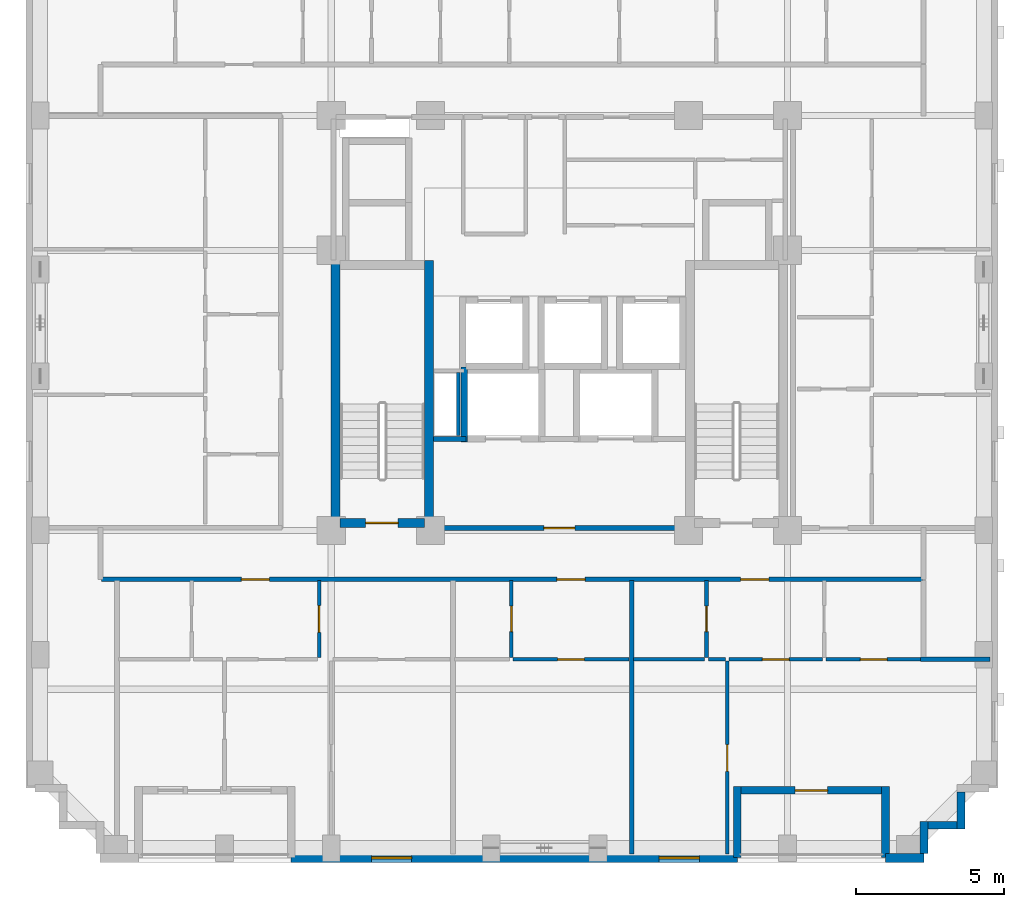
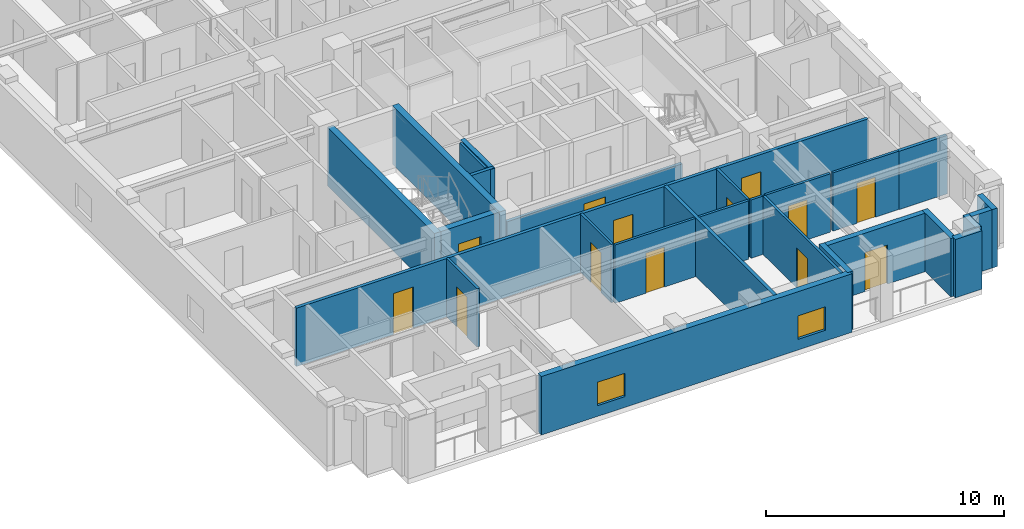
# One storey, part 3 of 11: 27 walls, 13 doors, 2 windows, 15 openings.
"""IFC4 building model written with IfcOpenShell, lengths in metres."""

from ifc_helpers import new_model, si_unit, derived_unit, direction, frame, frame_2d, origin, place, context, subcontext, project, spatial, rectangle, extrude, material, layer, layer_set, type_object, element, fill, save


model = new_model("IFC4")

# Units and contexts
model_context = context("Model", 3, precision=1e-05, world=origin(), true_north=direction((0.0, 1.0)))
body_context = subcontext(model_context, "Body", "Model", "MODEL_VIEW")
ifc_project = project(units=[si_unit("LENGTHUNIT", "METRE"), si_unit("AREAUNIT", "SQUARE_METRE"), si_unit("VOLUMEUNIT", "CUBIC_METRE"), si_unit("PLANEANGLEUNIT", "RADIAN"), si_unit("MASSUNIT", "GRAM", prefix="KILO"), derived_unit("THERMALTRANSMITTANCEUNIT", [(si_unit("MASSUNIT", "GRAM", prefix="KILO"), 1), (si_unit("TIMEUNIT", "SECOND"), -3), (si_unit("THERMODYNAMICTEMPERATUREUNIT", "KELVIN"), -1)])], contexts=[model_context])

# Site, building, storey
site_placement = place(None, origin())
site = spatial("IfcSite", under=ifc_project, at=site_placement, CompositionType="ELEMENT")
building_placement = place(site_placement, origin())
building = spatial("IfcBuilding", under=site, at=building_placement, Name="Korrvale Station Residences", CompositionType="ELEMENT")
storey_placement = place(building_placement, frame((0.0, 0.0, 160.14990234375)))
storey = spatial("IfcBuildingStorey", under=building, at=storey_placement, Name="L46", CompositionType="ELEMENT", Elevation=160.14990234375)

# Walls
ifc_material_1 = material(Name="Concrete C60/75", Category="concrete")
ifc_layer_1 = layer(ifc_material_1, 0.300048828125, Name="Concrete C60/75")
ifc_layer_set_1 = layer_set([ifc_layer_1], Name="Concrete C60/75")
wall_type_1 = type_object("IfcWallType", Name="WAL-CORE-300-C60", PredefinedType="SHEAR", material=ifc_layer_set_1)
for number, where, z_axis, x_axis, name in (
    (1, (17.949951171875, 15.10009765625, 0.0), (0.0, 0.0, 1.0), (0.0, 1.0, 0.0), "L46 ST-1 Core Shear Wall West"),
    (2, (21.10009765625, 15.10009765625, 0.0), (0.0, 0.0, 1.0), (0.0, 1.0, 0.0), "L46 ST-1 Core Shear Wall East"),
):
    element("IfcWall", number, at=place(storey_placement, frame(where, z_axis=z_axis, x_axis=x_axis)), inside=storey, type_object=wall_type_1, Name=name, PredefinedType="SHEAR", context=body_context, shape_type="SweptSolid", body=[
        extrude(rectangle(XDim=9.0, YDim=0.300048828125, at=frame_2d((4.5, 0.0))), origin(), (0.0, 0.0, 1.0), 2.989990234375),
    ])

# Wall, opening, door
wall_1_placement = place(storey_placement, frame((18.10009765625, 15.25, 0.0), z_axis=(0.0, 0.0, 1.0), x_axis=(1.0, 0.0, 0.0)))
wall_1 = element("IfcWall", 3, at=wall_1_placement, inside=storey, type_object=wall_type_1, Name="L46 ST-1 Core Shear Wall South", PredefinedType="SHEAR", context=body_context, shape_type="SweptSolid", body=[
    extrude(rectangle(XDim=2.849853515625, YDim=0.300048828125, at=frame_2d((1.4248046875, 0.0))), origin(), (0.0, 0.0, 1.0), 2.989990234375),
])
opening_1_placement = place(wall_1_placement, frame((0.860107421875, 0.0, 0.0)))
opening_1 = element("IfcOpeningElement", 4, at=opening_1_placement, cuts=wall_1, Name="Opening SD-1100", PredefinedType="OPENING", context=body_context, shape_type="SweptSolid", body=[
    extrude(rectangle(XDim=1.10009765625, YDim=2.050048828125, at=frame_2d((0.550048828125, 1.02490234375))), frame((0.0, 0.16015625, 0.0), z_axis=(0.0, -1.0, 0.0), x_axis=(1.0, 0.0, 0.0)), (0.0, 0.0, 1.0), 0.320068359375),
])
ifc_material_2 = material(Name="Hollow-metal fire-rated stair door with closer", Category="steel")
door_type_1 = type_object("IfcDoorType", Name="DR-STAIR-1100", OperationType="NOTDEFINED", PredefinedType="DOOR", material=ifc_material_2)
door_1_placement = place(opening_1_placement, origin())
door_1 = element("IfcDoor", 5, at=door_1_placement, inside=storey, type_object=door_type_1, Name="L46 ST-1 Exit Stair Door", OperationType="SINGLE_SWING_LEFT", OverallHeight=2.050048828125, OverallWidth=1.10009765625, PredefinedType="DOOR", context=body_context, shape_type="SweptSolid", body=[
    extrude(rectangle(XDim=1.10009765625, YDim=2.050048828125, at=frame_2d((0.550048828125, 1.02490234375))), frame((0.0, 0.02490234375, 0.0), z_axis=(0.0, -1.0, 0.0), x_axis=(1.0, 0.0, 0.0)), (0.0, 0.0, 1.0), 0.050048828125),
])
fill(opening_1, door_1)

# Wall
ifc_material_3 = material(Name="Precast concrete C45/55", Category="concrete")
ifc_layer_2 = layer(ifc_material_3, 0.260009765625, Name="Precast concrete C45/55")
ifc_layer_set_2 = layer_set([ifc_layer_2], Name="Precast concrete C45/55")
wall_type_2 = type_object("IfcWallType", Name="WAL-EXT-LOG260", PredefinedType="SOLIDWALL", material=ifc_layer_set_2)
wall_2_placement = place(storey_placement, frame((36.5, 3.9599609375, 0.0), z_axis=(0.0, 0.0, 1.0), x_axis=(0.0, 1.0, 0.0)))
element("IfcWall", 6, at=wall_2_placement, inside=storey, type_object=wall_type_2, Name="L46 Recessed Loggia Wall BAL-L46-S2-L", PredefinedType="SOLIDWALL", context=body_context, shape_type="SweptSolid", body=[
    extrude(rectangle(XDim=2.400146484375, YDim=0.260009765625, at=frame_2d((1.2001953125, 0.0))), origin(), (0.0, 0.0, 1.0), 2.989990234375),
])

# Wall, opening, door
wall_3_placement = place(storey_placement, frame((36.365966796875, 6.22998046875, 0.0), z_axis=(0.0, 0.0, 1.0), x_axis=(-1.0, 0.0, 0.0)))
wall_3 = element("IfcWall", 7, at=wall_3_placement, inside=storey, type_object=wall_type_2, Name="L46 Recessed Loggia Wall BAL-L46-S2-B", PredefinedType="SOLIDWALL", context=body_context, shape_type="SweptSolid", body=[
    extrude(rectangle(XDim=4.73193359375, YDim=0.260009765625, at=frame_2d((2.365966796875, 0.0))), origin(), (0.0, 0.0, 1.0), 2.989990234375),
])
opening_2_placement = place(wall_3_placement, frame((1.81591796875, 0.0, 0.0)))
opening_2 = element("IfcOpeningElement", 8, at=opening_2_placement, cuts=wall_3, Name="Opening BD-01", PredefinedType="OPENING", context=body_context, shape_type="SweptSolid", body=[
    extrude(rectangle(XDim=1.10009765625, YDim=2.0, at=frame_2d((0.550048828125, 1.0))), frame((0.0, 0.14013671875, 0.0), z_axis=(0.0, -1.0, 0.0), x_axis=(1.0, 0.0, 0.0)), (0.0, 0.0, 1.0), 0.280029296875),
])
ifc_material_4 = material(Name="Exterior thermally broken aluminium glazed balcony door", Category="aluminium")
door_type_2 = type_object("IfcDoorType", Name="DR-EXT-BAL", OperationType="NOTDEFINED", PredefinedType="DOOR", material=ifc_material_4)
door_2_placement = place(opening_2_placement, origin())
door_2 = element("IfcDoor", 9, at=door_2_placement, inside=storey, type_object=door_type_2, Name="L46 Loggia Balcony Door BAL-L46-S2", OperationType="SINGLE_SWING_RIGHT", OverallHeight=2.0, OverallWidth=1.10009765625, PredefinedType="DOOR", context=body_context, shape_type="SweptSolid", body=[
    extrude(rectangle(XDim=1.10009765625, YDim=2.0, at=frame_2d((0.550048828125, 1.0))), frame((0.0, 0.02490234375, 0.0), z_axis=(0.0, -1.0, 0.0), x_axis=(1.0, 0.0, 0.0)), (0.0, 0.0, 1.0), 0.050048828125),
])
fill(opening_2, door_2)

# Walls
wall_4_placement = place(storey_placement, frame((31.5, 6.360107421875, 0.0), z_axis=(0.0, 0.0, 1.0), x_axis=(0.0, -1.0, 0.0)))
element("IfcWall", 10, at=wall_4_placement, inside=storey, type_object=wall_type_2, Name="L46 Recessed Loggia Wall BAL-L46-S2-R", PredefinedType="SOLIDWALL", context=body_context, shape_type="SweptSolid", body=[
    extrude(rectangle(XDim=2.400146484375, YDim=0.260009765625, at=frame_2d((1.2001953125, 0.0))), origin(), (0.0, 0.0, 1.0), 2.989990234375),
])
wall_5_placement = place(storey_placement, frame((39.050048828125, 6.16796875, 0.0), z_axis=(0.0, 0.0, 1.0), x_axis=(0.0, -1.0, 0.0)))
element("IfcWall", 11, at=wall_5_placement, inside=storey, type_object=wall_type_2, Name="L46 Serrated Corner Precast Step SE-2", PredefinedType="SOLIDWALL", context=body_context, shape_type="SweptSolid", body=[
    extrude(rectangle(XDim=1.248046875, YDim=0.260009765625, at=frame_2d((0.6240234375, 0.0))), origin(), (0.0, 0.0, 1.0), 2.989990234375),
])
wall_6_placement = place(storey_placement, frame((38.91796875, 5.050048828125, 0.0), z_axis=(0.0, 0.0, 1.0), x_axis=(-1.0, 0.0, 0.0)))
element("IfcWall", 12, at=wall_6_placement, inside=storey, type_object=wall_type_2, Name="L46 Serrated Corner Precast Step SE-3", PredefinedType="SOLIDWALL", context=body_context, shape_type="SweptSolid", body=[
    extrude(rectangle(XDim=0.986083984375, YDim=0.260009765625, at=frame_2d((0.4931640625, 0.0))), origin(), (0.0, 0.0, 1.0), 2.989990234375),
])
wall_7_placement = place(storey_placement, frame((37.800048828125, 5.179931640625, 0.0), z_axis=(0.0, 0.0, 1.0), x_axis=(0.0, -1.0, 0.0)))
element("IfcWall", 13, at=wall_7_placement, inside=storey, type_object=wall_type_2, Name="L46 Serrated Corner Precast Step SE-4", PredefinedType="SOLIDWALL", context=body_context, shape_type="SweptSolid", body=[
    extrude(rectangle(XDim=1.077880859375, YDim=0.260009765625, at=frame_2d((0.5390625, 0.0))), origin(), (0.0, 0.0, 1.0), 2.989990234375),
])
ifc_layer_3 = layer(ifc_material_3, 0.300048828125, Name="Precast concrete C45/55")
ifc_layer_set_3 = layer_set([ifc_layer_3], Name="Precast concrete C45/55")
wall_type_3 = type_object("IfcWallType", Name="WAL-EXT-PC300", PredefinedType="SOLIDWALL", material=ifc_layer_set_3)
wall_8_placement = place(storey_placement, frame((37.800048828125, 3.949951171875, 0.0), z_axis=(0.0, 0.0, 1.0), x_axis=(-1.0, 0.0, 0.0)))
element("IfcWall", 14, at=wall_8_placement, inside=storey, type_object=wall_type_3, Name="L46 South Exterior Precast Wall 1", PredefinedType="SOLIDWALL", context=body_context, shape_type="SweptSolid", body=[
    extrude(rectangle(XDim=1.300048828125, YDim=0.300048828125, at=frame_2d((0.64990234375, 0.0))), origin(), (0.0, 0.0, 1.0), 2.989990234375),
])

# Wall, openings, windows
wall_9_placement = place(storey_placement, frame((31.5, 3.949951171875, 0.0), z_axis=(0.0, 0.0, 1.0), x_axis=(-1.0, 0.0, 0.0)))
wall_9 = element("IfcWall", 15, at=wall_9_placement, inside=storey, type_object=wall_type_3, Name="L46 South Exterior Precast Wall 2", PredefinedType="SOLIDWALL", context=body_context, shape_type="SweptSolid", body=[
    extrude(rectangle(XDim=15.050048828125, YDim=0.300048828125, at=frame_2d((7.52490234375, 0.0))), origin(), (0.0, 0.0, 1.0), 2.989990234375),
])
opening_3_placement = place(wall_9_placement, frame((10.989013671875, 0.0, 0.550048828125)))
opening_3 = element("IfcOpeningElement", 16, at=opening_3_placement, cuts=wall_9, Name="Opening W-10", PredefinedType="OPENING", context=body_context, shape_type="SweptSolid", body=[
    extrude(rectangle(XDim=1.35009765625, YDim=1.199951171875, at=frame_2d((0.675048828125, 0.60009765625))), frame((0.0, 0.16015625, 0.0), z_axis=(0.0, -1.0, 0.0), x_axis=(1.0, 0.0, 0.0)), (0.0, 0.0, 1.0), 0.320068359375),
])
opening_4_placement = place(wall_9_placement, frame((1.281982421875, 0.0, 0.550048828125)))
opening_4 = element("IfcOpeningElement", 17, at=opening_4_placement, cuts=wall_9, Name="Opening W-10", PredefinedType="OPENING", context=body_context, shape_type="SweptSolid", body=[
    extrude(rectangle(XDim=1.35009765625, YDim=1.199951171875, at=frame_2d((0.675048828125, 0.60009765625))), frame((0.0, 0.16015625, 0.0), z_axis=(0.0, -1.0, 0.0), x_axis=(1.0, 0.0, 0.0)), (0.0, 0.0, 1.0), 0.320068359375),
])
ifc_material_5 = material(Name="Thermally broken aluminium frame with triple low-e glazing", Category="aluminium")
window_type = type_object("IfcWindowType", Name="WIN-W10", PartitioningType="SINGLE_PANEL", PredefinedType="WINDOW", material=ifc_material_5)
window_1_placement = place(opening_3_placement, origin())
window_1 = element("IfcWindow", 18, at=window_1_placement, inside=storey, type_object=window_type, Name="L46 Punched Window 03", OverallHeight=1.199951171875, OverallWidth=1.35009765625, PartitioningType="SINGLE_PANEL", PredefinedType="WINDOW", context=body_context, shape_type="SweptSolid", body=[
    extrude(rectangle(XDim=1.35009765625, YDim=1.199951171875, at=frame_2d((0.675048828125, 0.60009765625))), frame((0.0, 0.030029296875, 0.0), z_axis=(0.0, -1.0, 0.0), x_axis=(1.0, 0.0, 0.0)), (0.0, 0.0, 1.0), 0.06005859375),
])
fill(opening_3, window_1)
window_2_placement = place(opening_4_placement, origin())
window_2 = element("IfcWindow", 19, at=window_2_placement, inside=storey, type_object=window_type, Name="L46 Punched Window 04", OverallHeight=1.199951171875, OverallWidth=1.35009765625, PartitioningType="SINGLE_PANEL", PredefinedType="WINDOW", context=body_context, shape_type="SweptSolid", body=[
    extrude(rectangle(XDim=1.35009765625, YDim=1.199951171875, at=frame_2d((0.675048828125, 0.60009765625))), frame((0.0, 0.030029296875, 0.0), z_axis=(0.0, -1.0, 0.0), x_axis=(1.0, 0.0, 0.0)), (0.0, 0.0, 1.0), 0.06005859375),
])
fill(opening_4, window_2)

# Wall
ifc_material_6 = material(Name="Acoustic steel-stud gypsum board partition", Category="steel")
ifc_layer_4 = layer(ifc_material_6, 0.1201171875, Name="Acoustic steel-stud gypsum board partition")
ifc_layer_set_4 = layer_set([ifc_layer_4], Name="Acoustic steel-stud gypsum board partition")
wall_type_4 = type_object("IfcWallType", Name="WAL-PART-125", PredefinedType="PARTITIONING", material=ifc_layer_set_4)
wall_10_placement = place(storey_placement, frame((22.080078125, 18.199951171875, 0.0), z_axis=(0.0, 0.0, 1.0), x_axis=(0.0, 1.0, 0.0)))
element("IfcWall", 20, at=wall_10_placement, inside=storey, type_object=wall_type_4, Name="L46 Core Partition CW-RSWT", PredefinedType="PARTITIONING", context=body_context, shape_type="SweptSolid", body=[
    extrude(rectangle(XDim=2.1201171875, YDim=0.1201171875, at=frame_2d((1.06005859375, 0.0))), origin(), (0.0, 0.0, 1.0), 2.989990234375),
])

# Wall, opening, door
wall_11_placement = place(storey_placement, frame((17.389892578125, 10.7099609375, 0.0), z_axis=(0.0, 0.0, 1.0), x_axis=(0.0, 1.0, 0.0)))
wall_11 = element("IfcWall", 21, at=wall_11_placement, inside=storey, type_object=wall_type_4, Name="L46 Suite Partition U01-V12", PredefinedType="PARTITIONING", context=body_context, shape_type="SweptSolid", body=[
    extrude(rectangle(XDim=2.60009765625, YDim=0.1201171875, at=frame_2d((1.300048828125, 0.0))), origin(), (0.0, 0.0, 1.0), 2.989990234375),
])
opening_5_placement = place(wall_11_placement, frame((0.85009765625, 0.0, 0.0)))
opening_5 = element("IfcOpeningElement", 22, at=opening_5_placement, cuts=wall_11, Name="Opening DI-900", PredefinedType="OPENING", context=body_context, shape_type="SweptSolid", body=[
    extrude(rectangle(XDim=0.89990234375, YDim=2.050048828125, at=frame_2d((0.449951171875, 1.02490234375))), frame((0.0, 0.070068359375, 0.0), z_axis=(0.0, -1.0, 0.0), x_axis=(1.0, 0.0, 0.0)), (0.0, 0.0, 1.0), 0.14013671875),
])
ifc_material_7 = material(Name="Painted solid-core timber interior room door", Category="wood")
door_type_3 = type_object("IfcDoorType", Name="DR-INT-900", OperationType="NOTDEFINED", PredefinedType="DOOR", material=ifc_material_7)
door_3_placement = place(opening_5_placement, origin())
door_3 = element("IfcDoor", 23, at=door_3_placement, inside=storey, type_object=door_type_3, Name="L46 Apartment 1BR L46-U01 Kitchen Door", OperationType="SINGLE_SWING_RIGHT", OverallHeight=2.050048828125, OverallWidth=0.89990234375, PredefinedType="DOOR", context=body_context, shape_type="SweptSolid", body=[
    extrude(rectangle(XDim=0.89990234375, YDim=2.050048828125, at=frame_2d((0.449951171875, 1.02490234375))), frame((0.0, 0.02490234375, 0.0), z_axis=(0.0, -1.0, 0.0), x_axis=(1.0, 0.0, 0.0)), (0.0, 0.0, 1.0), 0.050048828125),
])
fill(opening_5, door_3)

wall_12_placement = place(storey_placement, frame((23.8779296875, 10.7099609375, 0.0), z_axis=(0.0, 0.0, 1.0), x_axis=(0.0, 1.0, 0.0)))
wall_12 = element("IfcWall", 24, at=wall_12_placement, inside=storey, type_object=wall_type_4, Name="L46 Suite Partition U02-V01", PredefinedType="PARTITIONING", context=body_context, shape_type="SweptSolid", body=[
    extrude(rectangle(XDim=2.60009765625, YDim=0.1201171875, at=frame_2d((1.300048828125, 0.0))), origin(), (0.0, 0.0, 1.0), 2.989990234375),
])
opening_6_placement = place(wall_12_placement, frame((0.8701171875, 0.0, 0.0)))
opening_6 = element("IfcOpeningElement", 25, at=opening_6_placement, cuts=wall_12, Name="Opening DB-860", PredefinedType="OPENING", context=body_context, shape_type="SweptSolid", body=[
    extrude(rectangle(XDim=0.860107421875, YDim=2.050048828125, at=frame_2d((0.43017578125, 1.02490234375))), frame((0.0, 0.070068359375, 0.0), z_axis=(0.0, -1.0, 0.0), x_axis=(1.0, 0.0, 0.0)), (0.0, 0.0, 1.0), 0.14013671875),
])
ifc_material_8 = material(Name="Moisture-resistant solid-core bathroom door", Category="timber")
door_type_4 = type_object("IfcDoorType", Name="DR-BATH-860", OperationType="NOTDEFINED", PredefinedType="DOOR", material=ifc_material_8)
door_4_placement = place(opening_6_placement, origin())
door_4 = element("IfcDoor", 26, at=door_4_placement, inside=storey, type_object=door_type_4, Name="L46 Studio Apartment L46-U02 Bathroom Door", OperationType="SINGLE_SWING_LEFT", OverallHeight=2.050048828125, OverallWidth=0.860107421875, PredefinedType="DOOR", context=body_context, shape_type="SweptSolid", body=[
    extrude(rectangle(XDim=0.860107421875, YDim=2.050048828125, at=frame_2d((0.43017578125, 1.02490234375))), frame((0.0, 0.02490234375, 0.0), z_axis=(0.0, -1.0, 0.0), x_axis=(1.0, 0.0, 0.0)), (0.0, 0.0, 1.0), 0.050048828125),
])
fill(opening_6, door_4)

wall_13_placement = place(storey_placement, frame((23.93798828125, 10.64990234375, 0.0), z_axis=(0.0, 0.0, 1.0), x_axis=(1.0, 0.0, 0.0)))
wall_13 = element("IfcWall", 27, at=wall_13_placement, inside=storey, type_object=wall_type_4, Name="L46 Suite Partition U02-H12", PredefinedType="PARTITIONING", context=body_context, shape_type="SweptSolid", body=[
    extrude(rectangle(XDim=3.904052734375, YDim=0.1201171875, at=frame_2d((1.9521484375, 0.0))), origin(), (0.0, 0.0, 1.0), 2.989990234375),
])
opening_7_placement = place(wall_13_placement, frame((1.501953125, 0.0, 0.0)))
opening_7 = element("IfcOpeningElement", 28, at=opening_7_placement, cuts=wall_13, Name="Opening DI-900", PredefinedType="OPENING", context=body_context, shape_type="SweptSolid", body=[
    extrude(rectangle(XDim=0.89990234375, YDim=2.050048828125, at=frame_2d((0.449951171875, 1.02490234375))), frame((0.0, 0.070068359375, 0.0), z_axis=(0.0, -1.0, 0.0), x_axis=(1.0, 0.0, 0.0)), (0.0, 0.0, 1.0), 0.14013671875),
])
door_5_placement = place(opening_7_placement, origin())
door_5 = element("IfcDoor", 29, at=door_5_placement, inside=storey, type_object=door_type_3, Name="L46 Studio Apartment L46-U02 Kitchen Door", OperationType="SINGLE_SWING_RIGHT", OverallHeight=2.050048828125, OverallWidth=0.89990234375, PredefinedType="DOOR", context=body_context, shape_type="SweptSolid", body=[
    extrude(rectangle(XDim=0.89990234375, YDim=2.050048828125, at=frame_2d((0.449951171875, 1.02490234375))), frame((0.0, 0.02490234375, 0.0), z_axis=(0.0, -1.0, 0.0), x_axis=(1.0, 0.0, 0.0)), (0.0, 0.0, 1.0), 0.050048828125),
])
fill(opening_7, door_5)

wall_14_placement = place(storey_placement, frame((30.4619140625, 10.7099609375, 0.0), z_axis=(0.0, 0.0, 1.0), x_axis=(0.0, 1.0, 0.0)))
wall_14 = element("IfcWall", 30, at=wall_14_placement, inside=storey, type_object=wall_type_4, Name="L46 Suite Partition U03-V01", PredefinedType="PARTITIONING", context=body_context, shape_type="SweptSolid", body=[
    extrude(rectangle(XDim=2.60009765625, YDim=0.1201171875, at=frame_2d((1.300048828125, 0.0))), origin(), (0.0, 0.0, 1.0), 2.989990234375),
])
opening_8_placement = place(wall_14_placement, frame((0.8701171875, 0.0, 0.0)))
opening_8 = element("IfcOpeningElement", 31, at=opening_8_placement, cuts=wall_14, Name="Opening DB-860", PredefinedType="OPENING", context=body_context, shape_type="SweptSolid", body=[
    extrude(rectangle(XDim=0.860107421875, YDim=2.050048828125, at=frame_2d((0.43017578125, 1.02490234375))), frame((0.0, 0.070068359375, 0.0), z_axis=(0.0, -1.0, 0.0), x_axis=(1.0, 0.0, 0.0)), (0.0, 0.0, 1.0), 0.14013671875),
])
door_6_placement = place(opening_8_placement, origin())
door_6 = element("IfcDoor", 32, at=door_6_placement, inside=storey, type_object=door_type_4, Name="L46 Studio Apartment L46-U03 Bathroom Door", OperationType="SINGLE_SWING_LEFT", OverallHeight=2.050048828125, OverallWidth=0.860107421875, PredefinedType="DOOR", context=body_context, shape_type="SweptSolid", body=[
    extrude(rectangle(XDim=0.860107421875, YDim=2.050048828125, at=frame_2d((0.43017578125, 1.02490234375))), frame((0.0, 0.02490234375, 0.0), z_axis=(0.0, -1.0, 0.0), x_axis=(1.0, 0.0, 0.0)), (0.0, 0.0, 1.0), 0.050048828125),
])
fill(opening_8, door_6)

# Walls
wall_15_placement = place(storey_placement, frame((28.001953125, 10.64990234375, 0.0), z_axis=(0.0, 0.0, 1.0), x_axis=(1.0, 0.0, 0.0)))
element("IfcWall", 33, at=wall_15_placement, inside=storey, type_object=wall_type_4, Name="L46 Suite Partition U03-H03", PredefinedType="PARTITIONING", context=body_context, shape_type="SweptSolid", body=[
    extrude(rectangle(XDim=2.400146484375, YDim=0.1201171875, at=frame_2d((1.2001953125, 0.0))), origin(), (0.0, 0.0, 1.0), 2.989990234375),
])
wall_16_placement = place(storey_placement, frame((30.52197265625, 10.64990234375, 0.0), z_axis=(0.0, 0.0, 1.0), x_axis=(1.0, 0.0, 0.0)))
element("IfcWall", 34, at=wall_16_placement, inside=storey, type_object=wall_type_4, Name="L46 Suite Partition U03-H13", PredefinedType="PARTITIONING", context=body_context, shape_type="SweptSolid", body=[
    extrude(rectangle(XDim=0.580078125, YDim=0.1201171875, at=frame_2d((0.2900390625, 0.0))), origin(), (0.0, 0.0, 1.0), 2.989990234375),
])

# Wall, opening, door
wall_17_placement = place(storey_placement, frame((31.221923828125, 10.64990234375, 0.0), z_axis=(0.0, 0.0, 1.0), x_axis=(1.0, 0.0, 0.0)))
wall_17 = element("IfcWall", 35, at=wall_17_placement, inside=storey, type_object=wall_type_4, Name="L46 Suite Partition U03-H14", PredefinedType="PARTITIONING", context=body_context, shape_type="SweptSolid", body=[
    extrude(rectangle(XDim=3.148193359375, YDim=0.1201171875, at=frame_2d((1.57421875, 0.0))), origin(), (0.0, 0.0, 1.0), 2.989990234375),
])
opening_9_placement = place(wall_17_placement, frame((1.1240234375, 0.0, 0.0)))
opening_9 = element("IfcOpeningElement", 36, at=opening_9_placement, cuts=wall_17, Name="Opening DI-900", PredefinedType="OPENING", context=body_context, shape_type="SweptSolid", body=[
    extrude(rectangle(XDim=0.89990234375, YDim=2.050048828125, at=frame_2d((0.449951171875, 1.02490234375))), frame((0.0, 0.070068359375, 0.0), z_axis=(0.0, -1.0, 0.0), x_axis=(1.0, 0.0, 0.0)), (0.0, 0.0, 1.0), 0.14013671875),
])
door_7_placement = place(opening_9_placement, origin())
door_7 = element("IfcDoor", 37, at=door_7_placement, inside=storey, type_object=door_type_3, Name="L46 Studio Apartment L46-U03 Kitchen Door", OperationType="SINGLE_SWING_LEFT", OverallHeight=2.050048828125, OverallWidth=0.89990234375, PredefinedType="DOOR", context=body_context, shape_type="SweptSolid", body=[
    extrude(rectangle(XDim=0.89990234375, YDim=2.050048828125, at=frame_2d((0.449951171875, 1.02490234375))), frame((0.0, 0.02490234375, 0.0), z_axis=(0.0, -1.0, 0.0), x_axis=(1.0, 0.0, 0.0)), (0.0, 0.0, 1.0), 0.050048828125),
])
fill(opening_9, door_7)

wall_18_placement = place(storey_placement, frame((34.489990234375, 10.64990234375, 0.0), z_axis=(0.0, 0.0, 1.0), x_axis=(1.0, 0.0, 0.0)))
wall_18 = element("IfcWall", 38, at=wall_18_placement, inside=storey, type_object=wall_type_4, Name="L46 Suite Partition U03-H24", PredefinedType="PARTITIONING", context=body_context, shape_type="SweptSolid", body=[
    extrude(rectangle(XDim=3.22998046875, YDim=0.1201171875, at=frame_2d((1.614990234375, 0.0))), origin(), (0.0, 0.0, 1.0), 2.989990234375),
])
opening_10_placement = place(wall_18_placement, frame((1.1650390625, 0.0, 0.0)))
opening_10 = element("IfcOpeningElement", 39, at=opening_10_placement, cuts=wall_18, Name="Opening DI-900", PredefinedType="OPENING", context=body_context, shape_type="SweptSolid", body=[
    extrude(rectangle(XDim=0.89990234375, YDim=2.050048828125, at=frame_2d((0.449951171875, 1.02490234375))), frame((0.0, 0.070068359375, 0.0), z_axis=(0.0, -1.0, 0.0), x_axis=(1.0, 0.0, 0.0)), (0.0, 0.0, 1.0), 0.14013671875),
])
door_8_placement = place(opening_10_placement, origin())
door_8 = element("IfcDoor", 40, at=door_8_placement, inside=storey, type_object=door_type_3, Name="L46 Studio Apartment L46-U03 Home Study Room Door", OperationType="SINGLE_SWING_RIGHT", OverallHeight=2.050048828125, OverallWidth=0.89990234375, PredefinedType="DOOR", context=body_context, shape_type="SweptSolid", body=[
    extrude(rectangle(XDim=0.89990234375, YDim=2.050048828125, at=frame_2d((0.449951171875, 1.02490234375))), frame((0.0, 0.02490234375, 0.0), z_axis=(0.0, -1.0, 0.0), x_axis=(1.0, 0.0, 0.0)), (0.0, 0.0, 1.0), 0.050048828125),
])
fill(opening_10, door_8)

wall_19_placement = place(storey_placement, frame((31.162109375, 4.080078125, 0.0), z_axis=(0.0, 0.0, 1.0), x_axis=(0.0, 1.0, 0.0)))
wall_19 = element("IfcWall", 41, at=wall_19_placement, inside=storey, type_object=wall_type_4, Name="L46 Suite Partition U03-V34", PredefinedType="PARTITIONING", context=body_context, shape_type="SweptSolid", body=[
    extrude(rectangle(XDim=6.510009765625, YDim=0.1201171875, at=frame_2d((3.2548828125, 0.0))), origin(), (0.0, 0.0, 1.0), 2.989990234375),
])
opening_11_placement = place(wall_19_placement, frame((2.7900390625, 0.0, 0.0)))
opening_11 = element("IfcOpeningElement", 42, at=opening_11_placement, cuts=wall_19, Name="Opening DI-900", PredefinedType="OPENING", context=body_context, shape_type="SweptSolid", body=[
    extrude(rectangle(XDim=0.89990234375, YDim=2.050048828125, at=frame_2d((0.449951171875, 1.02490234375))), frame((0.0, 0.070068359375, 0.0), z_axis=(0.0, -1.0, 0.0), x_axis=(1.0, 0.0, 0.0)), (0.0, 0.0, 1.0), 0.14013671875),
])
door_9_placement = place(opening_11_placement, origin())
door_9 = element("IfcDoor", 43, at=door_9_placement, inside=storey, type_object=door_type_3, Name="L46 Studio Apartment L46-U03 Formal Dining Room Door", OperationType="SINGLE_SWING_LEFT", OverallHeight=2.050048828125, OverallWidth=0.89990234375, PredefinedType="DOOR", context=body_context, shape_type="SweptSolid", body=[
    extrude(rectangle(XDim=0.89990234375, YDim=2.050048828125, at=frame_2d((0.449951171875, 1.02490234375))), frame((0.0, 0.02490234375, 0.0), z_axis=(0.0, -1.0, 0.0), x_axis=(1.0, 0.0, 0.0)), (0.0, 0.0, 1.0), 0.050048828125),
])
fill(opening_11, door_9)

ifc_material_9 = material(Name="Fire-rated twin-stud gypsum and mineral wool shaftwall assembly", Category="gypsum")
ifc_layer_5 = layer(ifc_material_9, 0.159912109375, Name="Fire-rated twin-stud gypsum and mineral wool shaftwall assembly")
ifc_layer_set_5 = layer_set([ifc_layer_5], Name="Fire-rated twin-stud gypsum and mineral wool shaftwall assembly")
wall_type_5 = type_object("IfcWallType", Name="WAL-PART-200", PredefinedType="PARTITIONING", material=ifc_layer_set_5)
wall_20_placement = place(storey_placement, frame((21.25, 15.080078125, 0.0), z_axis=(0.0, 0.0, 1.0), x_axis=(1.0, 0.0, 0.0)))
wall_20 = element("IfcWall", 44, at=wall_20_placement, inside=storey, type_object=wall_type_5, Name="L46 Core Partition CW-FFL-S", PredefinedType="PARTITIONING", context=body_context, shape_type="SweptSolid", body=[
    extrude(rectangle(XDim=8.5, YDim=0.159912109375, at=frame_2d((4.25, 0.0))), origin(), (0.0, 0.0, 1.0), 2.442138671875),
])
opening_12_placement = place(wall_20_placement, frame((3.72509765625, 0.0, 0.0)))
opening_12 = element("IfcOpeningElement", 45, at=opening_12_placement, cuts=wall_20, Name="Opening FD-1050", PredefinedType="OPENING", context=body_context, shape_type="SweptSolid", body=[
    extrude(rectangle(XDim=1.050048828125, YDim=2.050048828125, at=frame_2d((0.52490234375, 1.02490234375))), frame((0.0, 0.08984375, 0.0), z_axis=(0.0, -1.0, 0.0), x_axis=(1.0, 0.0, 0.0)), (0.0, 0.0, 1.0), 0.179931640625),
])
ifc_material_10 = material(Name="Fire-rated mineral-core timber lobby door", Category="wood")
door_type_5 = type_object("IfcDoorType", Name="DR-CORE-1050", OperationType="NOTDEFINED", PredefinedType="DOOR", material=ifc_material_10)
door_10_placement = place(opening_12_placement, origin())
door_10 = element("IfcDoor", 46, at=door_10_placement, inside=storey, type_object=door_type_5, Name="L46 Firefighting Lobby Entry Door", OperationType="SINGLE_SWING_RIGHT", OverallHeight=2.050048828125, OverallWidth=1.050048828125, PredefinedType="DOOR", context=body_context, shape_type="SweptSolid", body=[
    extrude(rectangle(XDim=1.050048828125, YDim=2.050048828125, at=frame_2d((0.52490234375, 1.02490234375))), frame((0.0, 0.02490234375, 0.0), z_axis=(0.0, -1.0, 0.0), x_axis=(1.0, 0.0, 0.0)), (0.0, 0.0, 1.0), 0.050048828125),
])
fill(opening_12, door_10)

# Walls
wall_21_placement = place(storey_placement, frame((21.25, 18.080078125, 0.0), z_axis=(0.0, 0.0, 1.0), x_axis=(1.0, 0.0, 0.0)))
element("IfcWall", 47, at=wall_21_placement, inside=storey, type_object=wall_type_5, Name="L46 Core Partition CW-FFL-N1", PredefinedType="PARTITIONING", context=body_context, shape_type="SweptSolid", body=[
    extrude(rectangle(XDim=1.10009765625, YDim=0.159912109375, at=frame_2d((0.550048828125, 0.0))), origin(), (0.0, 0.0, 1.0), 2.989990234375),
])
wall_22_placement = place(storey_placement, frame((37.679931640625, 10.64990234375, 0.0), z_axis=(0.0, 0.0, 1.0), x_axis=(1.0, 0.0, 0.0)))
element("IfcWall", 48, at=wall_22_placement, inside=storey, type_object=wall_type_5, Name="L46 Corner Step Wall U03-R", PredefinedType="PARTITIONING", context=body_context, shape_type="SweptSolid", body=[
    extrude(rectangle(XDim=2.340087890625, YDim=0.159912109375, at=frame_2d((1.169921875, 0.0))), origin(), (0.0, 0.0, 1.0), 2.989990234375),
])
wall_23_placement = place(storey_placement, frame((27.94189453125, 4.080078125, 0.0), z_axis=(0.0, 0.0, 1.0), x_axis=(0.0, 1.0, 0.0)))
element("IfcWall", 49, at=wall_23_placement, inside=storey, type_object=wall_type_5, Name="L46 Demising Wall U03-W", PredefinedType="PARTITIONING", context=body_context, shape_type="SweptSolid", body=[
    extrude(rectangle(XDim=9.22998046875, YDim=0.159912109375, at=frame_2d((4.614990234375, 0.0))), origin(), (0.0, 0.0, 1.0), 2.989990234375),
])

# Wall, openings, doors
wall_24_placement = place(storey_placement, frame((10.050048828125, 13.35009765625, 0.0), z_axis=(0.0, 0.0, 1.0), x_axis=(1.0, 0.0, 0.0)))
wall_24 = element("IfcWall", 50, at=wall_24_placement, inside=storey, type_object=wall_type_5, Name="L46 Rated Corridor Wall S", PredefinedType="PARTITIONING", context=body_context, shape_type="SweptSolid", body=[
    extrude(rectangle(XDim=27.699951171875, YDim=0.159912109375, at=frame_2d((13.85009765625, 0.0))), origin(), (0.0, 0.0, 1.0), 2.989990234375),
])
opening_13_placement = place(wall_24_placement, frame((4.715087890625, 0.0, 0.0)))
opening_13 = element("IfcOpeningElement", 51, at=opening_13_placement, cuts=wall_24, Name="Opening UD-950", PredefinedType="OPENING", context=body_context, shape_type="SweptSolid", body=[
    extrude(rectangle(XDim=0.949951171875, YDim=2.10009765625, at=frame_2d((0.47509765625, 1.050048828125))), frame((0.0, 0.08984375, 0.0), z_axis=(0.0, -1.0, 0.0), x_axis=(1.0, 0.0, 0.0)), (0.0, 0.0, 1.0), 0.179931640625),
])
opening_14_placement = place(wall_24_placement, frame((15.364990234375, 0.0, 0.0)))
opening_14 = element("IfcOpeningElement", 52, at=opening_14_placement, cuts=wall_24, Name="Opening UD-950", PredefinedType="OPENING", context=body_context, shape_type="SweptSolid", body=[
    extrude(rectangle(XDim=0.949951171875, YDim=2.10009765625, at=frame_2d((0.47509765625, 1.050048828125))), frame((0.0, 0.08984375, 0.0), z_axis=(0.0, -1.0, 0.0), x_axis=(1.0, 0.0, 0.0)), (0.0, 0.0, 1.0), 0.179931640625),
])
opening_15_placement = place(wall_24_placement, frame((21.56494140625, 0.0, 0.0)))
opening_15 = element("IfcOpeningElement", 53, at=opening_15_placement, cuts=wall_24, Name="Opening UD-950", PredefinedType="OPENING", context=body_context, shape_type="SweptSolid", body=[
    extrude(rectangle(XDim=0.949951171875, YDim=2.10009765625, at=frame_2d((0.47509765625, 1.050048828125))), frame((0.0, 0.08984375, 0.0), z_axis=(0.0, -1.0, 0.0), x_axis=(1.0, 0.0, 0.0)), (0.0, 0.0, 1.0), 0.179931640625),
])
ifc_material_11 = material(Name="Solid-core acoustic oak apartment entrance door", Category="timber")
door_type_6 = type_object("IfcDoorType", Name="DR-UNIT-950", OperationType="NOTDEFINED", PredefinedType="DOOR", material=ifc_material_11)
door_11_placement = place(opening_13_placement, origin())
door_11 = element("IfcDoor", 54, at=door_11_placement, inside=storey, type_object=door_type_6, Name="L46 Apartment L46-U01 Entrance Door", OperationType="SINGLE_SWING_RIGHT", OverallHeight=2.10009765625, OverallWidth=0.949951171875, PredefinedType="DOOR", context=body_context, shape_type="SweptSolid", body=[
    extrude(rectangle(XDim=0.949951171875, YDim=2.10009765625, at=frame_2d((0.47509765625, 1.050048828125))), frame((0.0, 0.02490234375, 0.0), z_axis=(0.0, -1.0, 0.0), x_axis=(1.0, 0.0, 0.0)), (0.0, 0.0, 1.0), 0.050048828125),
])
fill(opening_13, door_11)
door_12_placement = place(opening_14_placement, origin())
door_12 = element("IfcDoor", 55, at=door_12_placement, inside=storey, type_object=door_type_6, Name="L46 Apartment L46-U02 Entrance Door", OperationType="SINGLE_SWING_LEFT", OverallHeight=2.10009765625, OverallWidth=0.949951171875, PredefinedType="DOOR", context=body_context, shape_type="SweptSolid", body=[
    extrude(rectangle(XDim=0.949951171875, YDim=2.10009765625, at=frame_2d((0.47509765625, 1.050048828125))), frame((0.0, 0.02490234375, 0.0), z_axis=(0.0, -1.0, 0.0), x_axis=(1.0, 0.0, 0.0)), (0.0, 0.0, 1.0), 0.050048828125),
])
fill(opening_14, door_12)
door_13_placement = place(opening_15_placement, origin())
door_13 = element("IfcDoor", 56, at=door_13_placement, inside=storey, type_object=door_type_6, Name="L46 Apartment L46-U03 Entrance Door", OperationType="SINGLE_SWING_RIGHT", OverallHeight=2.10009765625, OverallWidth=0.949951171875, PredefinedType="DOOR", context=body_context, shape_type="SweptSolid", body=[
    extrude(rectangle(XDim=0.949951171875, YDim=2.10009765625, at=frame_2d((0.47509765625, 1.050048828125))), frame((0.0, 0.02490234375, 0.0), z_axis=(0.0, -1.0, 0.0), x_axis=(1.0, 0.0, 0.0)), (0.0, 0.0, 1.0), 0.050048828125),
])
fill(opening_15, door_13)

# Wall
ifc_layer_6 = layer(ifc_material_1, 0.219970703125, Name="Concrete C60/75")
ifc_layer_set_6 = layer_set([ifc_layer_6], Name="Concrete C60/75")
wall_type_6 = type_object("IfcWallType", Name="WAL-SHAFT-220-C60", PredefinedType="SHEAR", material=ifc_layer_set_6)
wall_25_placement = place(storey_placement, frame((22.2900390625, 17.97998046875, 0.0), z_axis=(0.0, 0.0, 1.0), x_axis=(0.0, 1.0, 0.0)))
element("IfcWall", 57, at=wall_25_placement, inside=storey, type_object=wall_type_6, Name="L46 Elevator FFL-1 Hoistway Wall West", PredefinedType="SHEAR", context=body_context, shape_type="SweptSolid", body=[
    extrude(rectangle(XDim=2.5400390625, YDim=0.219970703125, at=frame_2d((1.27001953125, 0.0))), origin(), (0.0, 0.0, 1.0), 2.989990234375),
])

save(model, "model.ifc")
